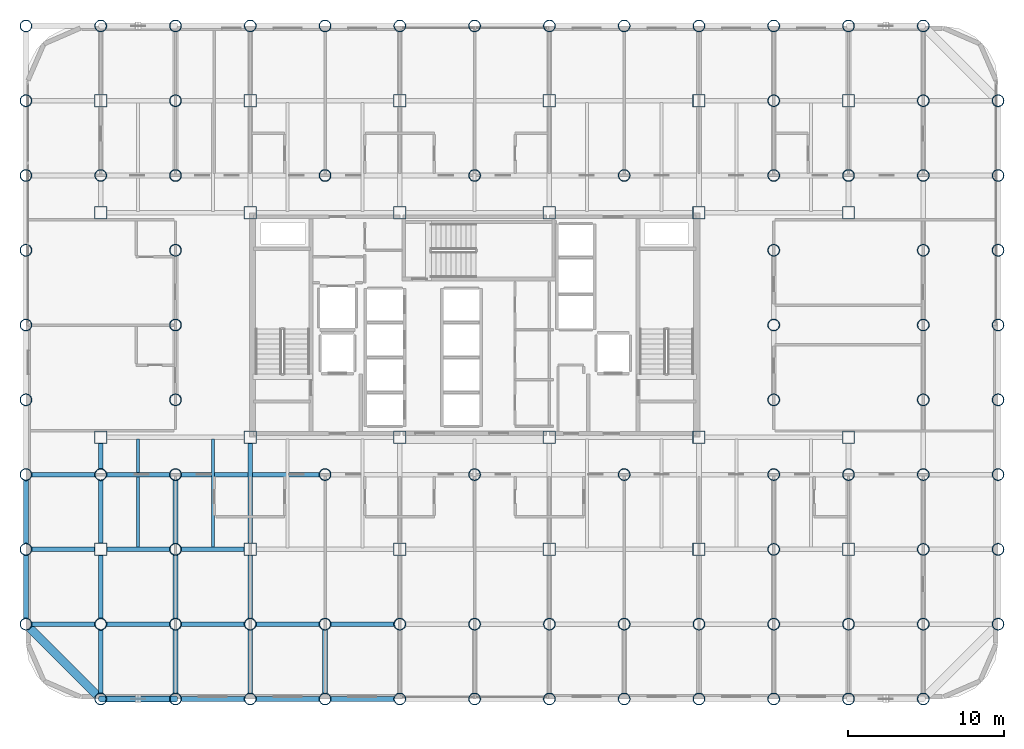
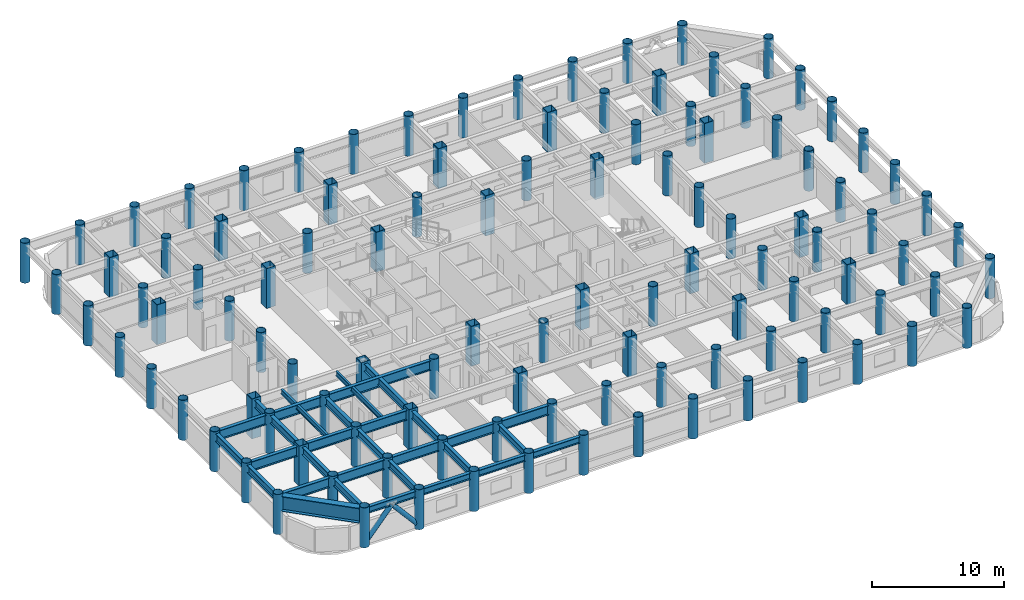
# One storey, part 1 of 21: 108 columns, 31 beams, 2 members.
"""IFC4 building model written with IfcOpenShell, lengths in metres."""

from ifc_helpers import new_model, si_unit, direction, frame, origin, origin_2d, place, context, subcontext, project, spatial, hollow_rectangle, hollow_circle, i_section, extrude, material, material_profile, profile_set, type_object, element, save


model = new_model("IFC4")

# Units and contexts
model_context = context("Model", 3, precision=1e-05, world=origin(), true_north=direction((0.0, 1.0)))
body_context = subcontext(model_context, "Body", "Model", "MODEL_VIEW")
ifc_project = project(units=[si_unit("LENGTHUNIT", "METRE"), si_unit("AREAUNIT", "SQUARE_METRE"), si_unit("VOLUMEUNIT", "CUBIC_METRE"), si_unit("PLANEANGLEUNIT", "RADIAN"), si_unit("MASSUNIT", "GRAM", prefix="KILO")], contexts=[model_context])

# Site, building, storey
site_placement = place(None, origin())
site = spatial("IfcSite", under=ifc_project, at=site_placement, CompositionType="ELEMENT")
building_placement = place(site_placement, origin())
building = spatial("IfcBuilding", under=site, at=building_placement, Name="Kallvorn Hotel Tower", CompositionType="ELEMENT")
storey_placement = place(building_placement, frame((0.0, 0.0, 81.800048828125)))
storey = spatial("IfcBuildingStorey", under=building, at=storey_placement, Name="L19", CompositionType="ELEMENT", Elevation=81.800048828125)

# Columns
ifc_material_1 = material(Name="Structural steel S355J2H", Category="steel")
ifc_material_profile_1 = material_profile(ifc_material_1, hollow_circle(Radius=0.381103515625, WallThickness=0.031982421875, at=origin_2d()), Name="CHS 762x32")
ifc_profile_set_1 = profile_set([ifc_material_profile_1], Name="Structural steel S355J2H")
column_type_1 = type_object("IfcColumnType", Name="COL_CHS_762", PredefinedType="COLUMN", material=ifc_profile_set_1)
for number, where, z_axis, x_axis, name in (
    (1, (-28.800048828125, -19.199951171875, 0.0), (0.0, 0.0, 1.0), (1.0, 0.0, 0.0), "L19 Exoskeleton Column EC01"),
    (2, (-28.800048828125, -14.39990234375, 0.0), (0.0, 0.0, 1.0), (1.0, 0.0, 0.0), "L19 Exoskeleton Column EC02"),
    (3, (-28.800048828125, -9.60009765625, 0.0), (0.0, 0.0, 1.0), (1.0, 0.0, 0.0), "L19 Exoskeleton Column EC03"),
    (4, (-28.800048828125, -4.800048828125, 0.0), (0.0, 0.0, 1.0), (1.0, 0.0, 0.0), "L19 Exoskeleton Column EC04"),
    (5, (-28.800048828125, 0.0, 0.0), (0.0, 0.0, 1.0), (1.0, 0.0, 0.0), "L19 Exoskeleton Column EC05"),
    (6, (-28.800048828125, 4.800048828125, 0.0), (0.0, 0.0, 1.0), (1.0, 0.0, 0.0), "L19 Exoskeleton Column EC06"),
    (7, (-28.800048828125, 9.60009765625, 0.0), (0.0, 0.0, 1.0), (1.0, 0.0, 0.0), "L19 Exoskeleton Column EC07"),
    (8, (-28.800048828125, 14.39990234375, 0.0), (0.0, 0.0, 1.0), (1.0, 0.0, 0.0), "L19 Exoskeleton Column EC08"),
    (9, (-28.800048828125, 19.199951171875, 0.0), (0.0, 0.0, 1.0), (1.0, 0.0, 0.0), "L19 Exoskeleton Column EC09"),
    (10, (-24.0, -24.0, 0.0), (0.0, 0.0, 1.0), (1.0, 0.0, 0.0), "L19 Exoskeleton Column EC10"),
    (11, (-24.0, -19.199951171875, 0.0), (0.0, 0.0, 1.0), (1.0, 0.0, 0.0), "L19 Exoskeleton Column EC11"),
    (12, (-24.0, -9.60009765625, 0.0), (0.0, 0.0, 1.0), (1.0, 0.0, 0.0), "L19 Exoskeleton Column EC12"),
    (13, (-24.0, 9.60009765625, 0.0), (0.0, 0.0, 1.0), (1.0, 0.0, 0.0), "L19 Exoskeleton Column EC13"),
    (14, (-24.0, 19.199951171875, 0.0), (0.0, 0.0, 1.0), (1.0, 0.0, 0.0), "L19 Exoskeleton Column EC14"),
    (15, (-19.199951171875, -24.0, 0.0), (0.0, 0.0, 1.0), (1.0, 0.0, 0.0), "L19 Exoskeleton Column EC15"),
    (16, (-19.199951171875, -19.199951171875, 0.0), (0.0, 0.0, 1.0), (1.0, 0.0, 0.0), "L19 Exoskeleton Column EC16"),
    (17, (-19.199951171875, -14.39990234375, 0.0), (0.0, 0.0, 1.0), (1.0, 0.0, 0.0), "L19 Exoskeleton Column EC17"),
    (18, (-19.199951171875, -9.60009765625, 0.0), (0.0, 0.0, 1.0), (1.0, 0.0, 0.0), "L19 Exoskeleton Column EC18"),
    (19, (-19.199951171875, -4.800048828125, 0.0), (0.0, 0.0, 1.0), (1.0, 0.0, 0.0), "L19 Exoskeleton Column EC19"),
    (20, (-19.199951171875, 0.0, 0.0), (0.0, 0.0, 1.0), (1.0, 0.0, 0.0), "L19 Exoskeleton Column EC20"),
    (21, (-19.199951171875, 4.800048828125, 0.0), (0.0, 0.0, 1.0), (1.0, 0.0, 0.0), "L19 Exoskeleton Column EC21"),
    (22, (-19.199951171875, 9.60009765625, 0.0), (0.0, 0.0, 1.0), (1.0, 0.0, 0.0), "L19 Exoskeleton Column EC22"),
    (23, (-19.199951171875, 14.39990234375, 0.0), (0.0, 0.0, 1.0), (1.0, 0.0, 0.0), "L19 Exoskeleton Column EC23"),
    (24, (-19.199951171875, 19.199951171875, 0.0), (0.0, 0.0, 1.0), (1.0, 0.0, 0.0), "L19 Exoskeleton Column EC24"),
    (25, (-14.39990234375, -24.0, 0.0), (0.0, 0.0, 1.0), (1.0, 0.0, 0.0), "L19 Exoskeleton Column EC25"),
    (26, (-14.39990234375, -19.199951171875, 0.0), (0.0, 0.0, 1.0), (1.0, 0.0, 0.0), "L19 Exoskeleton Column EC26"),
    (27, (-14.39990234375, 19.199951171875, 0.0), (0.0, 0.0, 1.0), (1.0, 0.0, 0.0), "L19 Exoskeleton Column EC27"),
    (28, (-9.60009765625, -24.0, 0.0), (0.0, 0.0, 1.0), (1.0, 0.0, 0.0), "L19 Exoskeleton Column EC28"),
    (29, (-9.60009765625, -19.199951171875, 0.0), (0.0, 0.0, 1.0), (1.0, 0.0, 0.0), "L19 Exoskeleton Column EC29"),
    (30, (-9.60009765625, -9.60009765625, 0.0), (0.0, 0.0, 1.0), (1.0, 0.0, 0.0), "L19 Exoskeleton Column EC30"),
    (31, (-9.60009765625, 9.60009765625, 0.0), (0.0, 0.0, 1.0), (1.0, 0.0, 0.0), "L19 Exoskeleton Column EC31"),
    (32, (-9.60009765625, 19.199951171875, 0.0), (0.0, 0.0, 1.0), (1.0, 0.0, 0.0), "L19 Exoskeleton Column EC32"),
    (33, (-4.800048828125, -24.0, 0.0), (0.0, 0.0, 1.0), (1.0, 0.0, 0.0), "L19 Exoskeleton Column EC33"),
    (34, (-4.800048828125, -19.199951171875, 0.0), (0.0, 0.0, 1.0), (1.0, 0.0, 0.0), "L19 Exoskeleton Column EC34"),
    (35, (-4.800048828125, 19.199951171875, 0.0), (0.0, 0.0, 1.0), (1.0, 0.0, 0.0), "L19 Exoskeleton Column EC35"),
    (36, (0.0, -24.0, 0.0), (0.0, 0.0, 1.0), (1.0, 0.0, 0.0), "L19 Exoskeleton Column EC36"),
    (37, (0.0, -19.199951171875, 0.0), (0.0, 0.0, 1.0), (1.0, 0.0, 0.0), "L19 Exoskeleton Column EC37"),
    (38, (0.0, -9.60009765625, 0.0), (0.0, 0.0, 1.0), (1.0, 0.0, 0.0), "L19 Exoskeleton Column EC38"),
    (39, (0.0, 9.60009765625, 0.0), (0.0, 0.0, 1.0), (1.0, 0.0, 0.0), "L19 Exoskeleton Column EC39"),
    (40, (0.0, 19.199951171875, 0.0), (0.0, 0.0, 1.0), (1.0, 0.0, 0.0), "L19 Exoskeleton Column EC40"),
    (41, (4.800048828125, -24.0, 0.0), (0.0, 0.0, 1.0), (1.0, 0.0, 0.0), "L19 Exoskeleton Column EC41"),
    (42, (4.800048828125, -19.199951171875, 0.0), (0.0, 0.0, 1.0), (1.0, 0.0, 0.0), "L19 Exoskeleton Column EC42"),
    (43, (4.800048828125, 19.199951171875, 0.0), (0.0, 0.0, 1.0), (1.0, 0.0, 0.0), "L19 Exoskeleton Column EC43"),
    (44, (9.60009765625, -24.0, 0.0), (0.0, 0.0, 1.0), (1.0, 0.0, 0.0), "L19 Exoskeleton Column EC44"),
    (45, (9.60009765625, -19.199951171875, 0.0), (0.0, 0.0, 1.0), (1.0, 0.0, 0.0), "L19 Exoskeleton Column EC45"),
    (46, (9.60009765625, -9.60009765625, 0.0), (0.0, 0.0, 1.0), (1.0, 0.0, 0.0), "L19 Exoskeleton Column EC46"),
    (47, (9.60009765625, 9.60009765625, 0.0), (0.0, 0.0, 1.0), (1.0, 0.0, 0.0), "L19 Exoskeleton Column EC47"),
    (48, (9.60009765625, 19.199951171875, 0.0), (0.0, 0.0, 1.0), (1.0, 0.0, 0.0), "L19 Exoskeleton Column EC48"),
    (49, (14.39990234375, -24.0, 0.0), (0.0, 0.0, 1.0), (1.0, 0.0, 0.0), "L19 Exoskeleton Column EC49"),
    (50, (14.39990234375, -19.199951171875, 0.0), (0.0, 0.0, 1.0), (1.0, 0.0, 0.0), "L19 Exoskeleton Column EC50"),
    (51, (14.39990234375, 19.199951171875, 0.0), (0.0, 0.0, 1.0), (1.0, 0.0, 0.0), "L19 Exoskeleton Column EC51"),
    (52, (19.199951171875, -24.0, 0.0), (0.0, 0.0, 1.0), (1.0, 0.0, 0.0), "L19 Exoskeleton Column EC52"),
    (53, (19.199951171875, -19.199951171875, 0.0), (0.0, 0.0, 1.0), (1.0, 0.0, 0.0), "L19 Exoskeleton Column EC53"),
    (54, (19.199951171875, -14.39990234375, 0.0), (0.0, 0.0, 1.0), (1.0, 0.0, 0.0), "L19 Exoskeleton Column EC54"),
    (55, (19.199951171875, -9.60009765625, 0.0), (0.0, 0.0, 1.0), (1.0, 0.0, 0.0), "L19 Exoskeleton Column EC55"),
    (56, (19.199951171875, -4.800048828125, 0.0), (0.0, 0.0, 1.0), (1.0, 0.0, 0.0), "L19 Exoskeleton Column EC56"),
    (57, (19.199951171875, 0.0, 0.0), (0.0, 0.0, 1.0), (1.0, 0.0, 0.0), "L19 Exoskeleton Column EC57"),
    (58, (19.199951171875, 4.800048828125, 0.0), (0.0, 0.0, 1.0), (1.0, 0.0, 0.0), "L19 Exoskeleton Column EC58"),
    (59, (19.199951171875, 9.60009765625, 0.0), (0.0, 0.0, 1.0), (1.0, 0.0, 0.0), "L19 Exoskeleton Column EC59"),
    (60, (19.199951171875, 14.39990234375, 0.0), (0.0, 0.0, 1.0), (1.0, 0.0, 0.0), "L19 Exoskeleton Column EC60"),
    (61, (19.199951171875, 19.199951171875, 0.0), (0.0, 0.0, 1.0), (1.0, 0.0, 0.0), "L19 Exoskeleton Column EC61"),
    (62, (24.0, -24.0, 0.0), (0.0, 0.0, 1.0), (1.0, 0.0, 0.0), "L19 Exoskeleton Column EC62"),
    (63, (24.0, -19.199951171875, 0.0), (0.0, 0.0, 1.0), (1.0, 0.0, 0.0), "L19 Exoskeleton Column EC63"),
    (64, (24.0, -9.60009765625, 0.0), (0.0, 0.0, 1.0), (1.0, 0.0, 0.0), "L19 Exoskeleton Column EC64"),
    (65, (24.0, 9.60009765625, 0.0), (0.0, 0.0, 1.0), (1.0, 0.0, 0.0), "L19 Exoskeleton Column EC65"),
    (66, (24.0, 19.199951171875, 0.0), (0.0, 0.0, 1.0), (1.0, 0.0, 0.0), "L19 Exoskeleton Column EC66"),
    (67, (28.800048828125, -24.0, 0.0), (0.0, 0.0, 1.0), (1.0, 0.0, 0.0), "L19 Exoskeleton Column EC67"),
    (68, (28.800048828125, -19.199951171875, 0.0), (0.0, 0.0, 1.0), (1.0, 0.0, 0.0), "L19 Exoskeleton Column EC68"),
    (69, (28.800048828125, -14.39990234375, 0.0), (0.0, 0.0, 1.0), (1.0, 0.0, 0.0), "L19 Exoskeleton Column EC69"),
    (70, (28.800048828125, -9.60009765625, 0.0), (0.0, 0.0, 1.0), (1.0, 0.0, 0.0), "L19 Exoskeleton Column EC70"),
    (71, (28.800048828125, -4.800048828125, 0.0), (0.0, 0.0, 1.0), (1.0, 0.0, 0.0), "L19 Exoskeleton Column EC71"),
    (72, (28.800048828125, 0.0, 0.0), (0.0, 0.0, 1.0), (1.0, 0.0, 0.0), "L19 Exoskeleton Column EC72"),
    (73, (28.800048828125, 4.800048828125, 0.0), (0.0, 0.0, 1.0), (1.0, 0.0, 0.0), "L19 Exoskeleton Column EC73"),
    (74, (28.800048828125, 9.60009765625, 0.0), (0.0, 0.0, 1.0), (1.0, 0.0, 0.0), "L19 Exoskeleton Column EC74"),
    (75, (28.800048828125, 14.39990234375, 0.0), (0.0, 0.0, 1.0), (1.0, 0.0, 0.0), "L19 Exoskeleton Column EC75"),
    (76, (28.800048828125, 19.199951171875, 0.0), (0.0, 0.0, 1.0), (1.0, 0.0, 0.0), "L19 Exoskeleton Column EC76"),
    (77, (33.60009765625, -19.199951171875, 0.0), (0.0, 0.0, 1.0), (1.0, 0.0, 0.0), "L19 Exoskeleton Column EC77"),
    (78, (33.60009765625, -14.39990234375, 0.0), (0.0, 0.0, 1.0), (1.0, 0.0, 0.0), "L19 Exoskeleton Column EC78"),
    (79, (33.60009765625, -9.60009765625, 0.0), (0.0, 0.0, 1.0), (1.0, 0.0, 0.0), "L19 Exoskeleton Column EC79"),
    (80, (33.60009765625, -4.800048828125, 0.0), (0.0, 0.0, 1.0), (1.0, 0.0, 0.0), "L19 Exoskeleton Column EC80"),
    (81, (33.60009765625, 0.0, 0.0), (0.0, 0.0, 1.0), (1.0, 0.0, 0.0), "L19 Exoskeleton Column EC81"),
    (82, (33.60009765625, 4.800048828125, 0.0), (0.0, 0.0, 1.0), (1.0, 0.0, 0.0), "L19 Exoskeleton Column EC82"),
    (83, (33.60009765625, 9.60009765625, 0.0), (0.0, 0.0, 1.0), (1.0, 0.0, 0.0), "L19 Exoskeleton Column EC83"),
    (84, (33.60009765625, 14.39990234375, 0.0), (0.0, 0.0, 1.0), (1.0, 0.0, 0.0), "L19 Exoskeleton Column EC84"),
):
    element("IfcColumn", number, at=place(storey_placement, frame(where, z_axis=z_axis, x_axis=x_axis)), inside=storey, type_object=column_type_1, Name=name, PredefinedType="COLUMN", context=body_context, shape_type="SweptSolid", body=[
        extrude(hollow_circle(Radius=0.381103515625, WallThickness=0.031982421875, at=origin_2d()), origin(), (0.0, 0.0, 1.0), 3.699951171875),
    ])
ifc_material_2 = material(Name="Structural steel S355J2H", Category="steel")
ifc_material_profile_2 = material_profile(ifc_material_2, hollow_rectangle(XDim=0.800048828125, YDim=0.800048828125, WallThickness=0.035888671875, at=origin_2d()), Name="RHS 800x800x36")
ifc_profile_set_2 = profile_set([ifc_material_profile_2], Name="Structural steel S355J2H")
column_type_2 = type_object("IfcColumnType", Name="COL_RHS_800", PredefinedType="COLUMN", material=ifc_profile_set_2)
for number, where, z_axis, x_axis, name in (
    (85, (-24.0, -14.39990234375, 0.0), (0.0, 0.0, 1.0), (1.0, 0.0, 0.0), "L19 Inner Column IC01"),
    (86, (-24.0, -7.199951171875, 0.0), (0.0, 0.0, 1.0), (1.0, 0.0, 0.0), "L19 Inner Column IC02"),
    (87, (-24.0, 7.199951171875, 0.0), (0.0, 0.0, 1.0), (1.0, 0.0, 0.0), "L19 Inner Column IC03"),
    (88, (-24.0, 14.39990234375, 0.0), (0.0, 0.0, 1.0), (1.0, 0.0, 0.0), "L19 Inner Column IC04"),
    (89, (-14.39990234375, -14.39990234375, 0.0), (0.0, 0.0, 1.0), (1.0, 0.0, 0.0), "L19 Inner Column IC05"),
    (90, (-14.39990234375, -7.199951171875, 0.0), (0.0, 0.0, 1.0), (1.0, 0.0, 0.0), "L19 Inner Column IC06"),
    (91, (-14.39990234375, 7.199951171875, 0.0), (0.0, 0.0, 1.0), (1.0, 0.0, 0.0), "L19 Inner Column IC07"),
    (92, (-14.39990234375, 14.39990234375, 0.0), (0.0, 0.0, 1.0), (1.0, 0.0, 0.0), "L19 Inner Column IC08"),
    (93, (-4.800048828125, -14.39990234375, 0.0), (0.0, 0.0, 1.0), (1.0, 0.0, 0.0), "L19 Inner Column IC09"),
    (94, (-4.800048828125, -7.199951171875, 0.0), (0.0, 0.0, 1.0), (1.0, 0.0, 0.0), "L19 Inner Column IC10"),
    (95, (-4.800048828125, 7.199951171875, 0.0), (0.0, 0.0, 1.0), (1.0, 0.0, 0.0), "L19 Inner Column IC11"),
    (96, (-4.800048828125, 14.39990234375, 0.0), (0.0, 0.0, 1.0), (1.0, 0.0, 0.0), "L19 Inner Column IC12"),
    (97, (4.800048828125, -14.39990234375, 0.0), (0.0, 0.0, 1.0), (1.0, 0.0, 0.0), "L19 Inner Column IC13"),
    (98, (4.800048828125, -7.199951171875, 0.0), (0.0, 0.0, 1.0), (1.0, 0.0, 0.0), "L19 Inner Column IC14"),
    (99, (4.800048828125, 7.199951171875, 0.0), (0.0, 0.0, 1.0), (1.0, 0.0, 0.0), "L19 Inner Column IC15"),
    (100, (4.800048828125, 14.39990234375, 0.0), (0.0, 0.0, 1.0), (1.0, 0.0, 0.0), "L19 Inner Column IC16"),
    (101, (14.39990234375, -14.39990234375, 0.0), (0.0, 0.0, 1.0), (1.0, 0.0, 0.0), "L19 Inner Column IC17"),
    (102, (14.39990234375, -7.199951171875, 0.0), (0.0, 0.0, 1.0), (1.0, 0.0, 0.0), "L19 Inner Column IC18"),
    (103, (14.39990234375, 7.199951171875, 0.0), (0.0, 0.0, 1.0), (1.0, 0.0, 0.0), "L19 Inner Column IC19"),
    (104, (14.39990234375, 14.39990234375, 0.0), (0.0, 0.0, 1.0), (1.0, 0.0, 0.0), "L19 Inner Column IC20"),
    (105, (24.0, -14.39990234375, 0.0), (0.0, 0.0, 1.0), (1.0, 0.0, 0.0), "L19 Inner Column IC21"),
    (106, (24.0, -7.199951171875, 0.0), (0.0, 0.0, 1.0), (1.0, 0.0, 0.0), "L19 Inner Column IC22"),
    (107, (24.0, 7.199951171875, 0.0), (0.0, 0.0, 1.0), (1.0, 0.0, 0.0), "L19 Inner Column IC23"),
    (108, (24.0, 14.39990234375, 0.0), (0.0, 0.0, 1.0), (1.0, 0.0, 0.0), "L19 Inner Column IC24"),
):
    element("IfcColumn", number, at=place(storey_placement, frame(where, z_axis=z_axis, x_axis=x_axis)), inside=storey, type_object=column_type_2, Name=name, PredefinedType="COLUMN", context=body_context, shape_type="SweptSolid", body=[
        extrude(hollow_rectangle(XDim=0.800048828125, YDim=0.800048828125, WallThickness=0.035888671875, at=origin_2d()), origin(), (0.0, 0.0, 1.0), 3.699951171875),
    ])

# Beams
ifc_material_3 = material(Name="Structural steel S355JR", Category="steel")
ifc_material_profile_3 = material_profile(ifc_material_3, i_section(OverallWidth=0.300048828125, OverallDepth=0.60009765625, WebThickness=0.015380859375, FlangeThickness=0.030029296875, at=origin_2d()), Name="HE 600 B")
ifc_profile_set_3 = profile_set([ifc_material_profile_3], Name="Structural steel S355JR")
beam_type_1 = type_object("IfcBeamType", Name="BM_HE600B", PredefinedType="SPANDREL", material=ifc_profile_set_3)
beam_1_placement = place(storey_placement, frame((-23.62890625, -24.0, 3.219970703125), z_axis=(1.0, 0.0, 0.0), x_axis=(0.0, 1.0, 0.0)))
element("IfcBeam", 109, at=beam_1_placement, inside=storey, type_object=beam_type_1, Name="L20 Perimeter Spandrel 151", PredefinedType="SPANDREL", context=body_context, shape_type="SweptSolid", body=[
    extrude(i_section(OverallWidth=0.300048828125, OverallDepth=0.60009765625, WebThickness=0.015380859375, FlangeThickness=0.030029296875, at=origin_2d()), origin(), (0.0, 0.0, 1.0), 4.057861328125),
])
for number, where, z_axis, x_axis, name in (
    (110, (-18.8291015625, -24.0, 3.219970703125), (1.0, 0.0, 0.0), (0.0, 1.0, 0.0), "L20 Perimeter Spandrel 152"),
    (111, (-14.029052734375, -24.0, 3.219970703125), (1.0, 0.0, 0.0), (0.0, 1.0, 0.0), "L20 Perimeter Spandrel 153"),
    (112, (-9.22900390625, -24.0, 3.219970703125), (1.0, 0.0, 0.0), (0.0, 1.0, 0.0), "L20 Perimeter Spandrel 154"),
):
    element("IfcBeam", number, at=place(storey_placement, frame(where, z_axis=z_axis, x_axis=x_axis)), inside=storey, type_object=beam_type_1, Name=name, PredefinedType="SPANDREL", context=body_context, shape_type="SweptSolid", body=[
        extrude(i_section(OverallWidth=0.300048828125, OverallDepth=0.60009765625, WebThickness=0.015380859375, FlangeThickness=0.030029296875, at=origin_2d()), origin(), (0.0, 0.0, 1.0), 4.05810546875),
    ])
ifc_material_4 = material(Name="Structural steel S355JR", Category="steel")
ifc_material_profile_4 = material_profile(ifc_material_4, i_section(OverallWidth=0.300048828125, OverallDepth=0.699951171875, WebThickness=0.01708984375, FlangeThickness=0.031982421875, at=origin_2d()), Name="HE 700 B")
ifc_profile_set_4 = profile_set([ifc_material_profile_4], Name="Structural steel S355JR")
beam_type_2 = type_object("IfcBeamType", Name="BM_HE700B", PredefinedType="BEAM", material=ifc_profile_set_4)
for number, where, z_axis, x_axis, name in (
    (113, (-28.800048828125, -18.843994140625, 3.169921875), (0.0, 1.0, 0.0), (-1.0, 0.0, 0.0), "L20 Primary Y-Girder 73"),
    (114, (-28.800048828125, -14.0439453125, 3.169921875), (0.0, 1.0, 0.0), (-1.0, 0.0, 0.0), "L20 Primary Y-Girder 74"),
):
    element("IfcBeam", number, at=place(storey_placement, frame(where, z_axis=z_axis, x_axis=x_axis)), inside=storey, type_object=beam_type_2, Name=name, PredefinedType="BEAM", context=body_context, shape_type="SweptSolid", body=[
        extrude(i_section(OverallWidth=0.300048828125, OverallDepth=0.699951171875, WebThickness=0.01708984375, FlangeThickness=0.031982421875, at=origin_2d()), origin(), (0.0, 0.0, 1.0), 4.087890625),
    ])
beam_2_placement = place(storey_placement, frame((-24.0, -23.64404296875, 3.169921875), z_axis=(0.0, 1.0, 0.0), x_axis=(-1.0, 0.0, 0.0)))
element("IfcBeam", 115, at=beam_2_placement, inside=storey, type_object=beam_type_2, Name="L20 Primary Y-Girder 81", PredefinedType="BEAM", context=body_context, shape_type="SweptSolid", body=[
    extrude(i_section(OverallWidth=0.300048828125, OverallDepth=0.699951171875, WebThickness=0.01708984375, FlangeThickness=0.031982421875, at=origin_2d()), origin(), (0.0, 0.0, 1.0), 4.088134765625),
])
beam_3_placement = place(storey_placement, frame((-24.0, -18.843994140625, 3.169921875), z_axis=(0.0, 1.0, 0.0), x_axis=(-1.0, 0.0, 0.0)))
element("IfcBeam", 116, at=beam_3_placement, inside=storey, type_object=beam_type_2, Name="L20 Primary Y-Girder 82", PredefinedType="BEAM", context=body_context, shape_type="SweptSolid", body=[
    extrude(i_section(OverallWidth=0.300048828125, OverallDepth=0.699951171875, WebThickness=0.01708984375, FlangeThickness=0.031982421875, at=origin_2d()), origin(), (0.0, 0.0, 1.0), 4.069091796875),
])
beam_4_placement = place(storey_placement, frame((-24.0, -14.02490234375, 3.169921875), z_axis=(0.0, 1.0, 0.0), x_axis=(-1.0, 0.0, 0.0)))
element("IfcBeam", 117, at=beam_4_placement, inside=storey, type_object=beam_type_2, Name="L20 Primary Y-Girder 83", PredefinedType="BEAM", context=body_context, shape_type="SweptSolid", body=[
    extrude(i_section(OverallWidth=0.300048828125, OverallDepth=0.699951171875, WebThickness=0.01708984375, FlangeThickness=0.031982421875, at=origin_2d()), origin(), (0.0, 0.0, 1.0), 4.06884765625),
])
beam_5_placement = place(storey_placement, frame((-24.0, -9.243896484375, 3.169921875), z_axis=(0.0, 1.0, 0.0), x_axis=(-1.0, 0.0, 0.0)))
element("IfcBeam", 118, at=beam_5_placement, inside=storey, type_object=beam_type_2, Name="L20 Primary Y-Girder 84", PredefinedType="BEAM", context=body_context, shape_type="SweptSolid", body=[
    extrude(i_section(OverallWidth=0.300048828125, OverallDepth=0.699951171875, WebThickness=0.01708984375, FlangeThickness=0.031982421875, at=origin_2d()), origin(), (0.0, 0.0, 1.0), 1.6689453125),
])
beam_6_placement = place(storey_placement, frame((-19.199951171875, -23.64404296875, 3.169921875), z_axis=(0.0, 1.0, 0.0), x_axis=(-1.0, 0.0, 0.0)))
element("IfcBeam", 119, at=beam_6_placement, inside=storey, type_object=beam_type_2, Name="L20 Primary Y-Girder 88", PredefinedType="BEAM", context=body_context, shape_type="SweptSolid", body=[
    extrude(i_section(OverallWidth=0.300048828125, OverallDepth=0.699951171875, WebThickness=0.01708984375, FlangeThickness=0.031982421875, at=origin_2d()), origin(), (0.0, 0.0, 1.0), 4.088134765625),
])
for number, where, z_axis, x_axis, name in (
    (120, (-19.199951171875, -18.843994140625, 3.169921875), (0.0, 1.0, 0.0), (-1.0, 0.0, 0.0), "L20 Primary Y-Girder 89"),
    (121, (-19.199951171875, -14.0439453125, 3.169921875), (0.0, 1.0, 0.0), (-1.0, 0.0, 0.0), "L20 Primary Y-Girder 90"),
):
    element("IfcBeam", number, at=place(storey_placement, frame(where, z_axis=z_axis, x_axis=x_axis)), inside=storey, type_object=beam_type_2, Name=name, PredefinedType="BEAM", context=body_context, shape_type="SweptSolid", body=[
        extrude(i_section(OverallWidth=0.300048828125, OverallDepth=0.699951171875, WebThickness=0.01708984375, FlangeThickness=0.031982421875, at=origin_2d()), origin(), (0.0, 0.0, 1.0), 4.087890625),
    ])
beam_7_placement = place(storey_placement, frame((-14.39990234375, -23.64404296875, 3.169921875), z_axis=(0.0, 1.0, 0.0), x_axis=(-1.0, 0.0, 0.0)))
element("IfcBeam", 122, at=beam_7_placement, inside=storey, type_object=beam_type_2, Name="L20 Primary Y-Girder 97", PredefinedType="BEAM", context=body_context, shape_type="SweptSolid", body=[
    extrude(i_section(OverallWidth=0.300048828125, OverallDepth=0.699951171875, WebThickness=0.01708984375, FlangeThickness=0.031982421875, at=origin_2d()), origin(), (0.0, 0.0, 1.0), 4.088134765625),
])
beam_8_placement = place(storey_placement, frame((-14.39990234375, -18.843994140625, 3.169921875), z_axis=(0.0, 1.0, 0.0), x_axis=(-1.0, 0.0, 0.0)))
element("IfcBeam", 123, at=beam_8_placement, inside=storey, type_object=beam_type_2, Name="L20 Primary Y-Girder 98", PredefinedType="BEAM", context=body_context, shape_type="SweptSolid", body=[
    extrude(i_section(OverallWidth=0.300048828125, OverallDepth=0.699951171875, WebThickness=0.01708984375, FlangeThickness=0.031982421875, at=origin_2d()), origin(), (0.0, 0.0, 1.0), 4.069091796875),
])
beam_9_placement = place(storey_placement, frame((-14.39990234375, -14.02490234375, 3.169921875), z_axis=(0.0, 1.0, 0.0), x_axis=(-1.0, 0.0, 0.0)))
element("IfcBeam", 124, at=beam_9_placement, inside=storey, type_object=beam_type_2, Name="L20 Primary Y-Girder 99", PredefinedType="BEAM", context=body_context, shape_type="SweptSolid", body=[
    extrude(i_section(OverallWidth=0.300048828125, OverallDepth=0.699951171875, WebThickness=0.01708984375, FlangeThickness=0.031982421875, at=origin_2d()), origin(), (0.0, 0.0, 1.0), 6.449951171875),
])
beam_10_placement = place(storey_placement, frame((-9.60009765625, -23.64404296875, 3.169921875), z_axis=(0.0, 1.0, 0.0), x_axis=(-1.0, 0.0, 0.0)))
element("IfcBeam", 125, at=beam_10_placement, inside=storey, type_object=beam_type_2, Name="L20 Primary Y-Girder 102", PredefinedType="BEAM", context=body_context, shape_type="SweptSolid", body=[
    extrude(i_section(OverallWidth=0.300048828125, OverallDepth=0.699951171875, WebThickness=0.01708984375, FlangeThickness=0.031982421875, at=origin_2d()), origin(), (0.0, 0.0, 1.0), 4.088134765625),
])
ifc_material_5 = material(Name="Structural steel S355JR", Category="steel")
ifc_material_profile_5 = material_profile(ifc_material_5, i_section(OverallWidth=0.300048828125, OverallDepth=0.89990234375, WebThickness=0.0185546875, FlangeThickness=0.034912109375, at=origin_2d()), Name="HE 900 B")
ifc_profile_set_5 = profile_set([ifc_material_profile_5], Name="Structural steel S355JR")
beam_type_3 = type_object("IfcBeamType", Name="BM_HE900B", PredefinedType="BEAM", material=ifc_profile_set_5)
for number, where, z_axis, x_axis, name in (
    (126, (-28.444091796875, -19.199951171875, 3.070068359375), (1.0, 0.0, 0.0), (0.0, 1.0, 0.0), "L20 Primary X-Girder 01"),
    (127, (-23.64404296875, -19.199951171875, 3.070068359375), (1.0, 0.0, 0.0), (0.0, 1.0, 0.0), "L20 Primary X-Girder 02"),
):
    element("IfcBeam", number, at=place(storey_placement, frame(where, z_axis=z_axis, x_axis=x_axis)), inside=storey, type_object=beam_type_3, Name=name, PredefinedType="BEAM", context=body_context, shape_type="SweptSolid", body=[
        extrude(i_section(OverallWidth=0.300048828125, OverallDepth=0.89990234375, WebThickness=0.0185546875, FlangeThickness=0.034912109375, at=origin_2d()), origin(), (0.0, 0.0, 1.0), 4.088134765625),
    ])
for number, where, z_axis, x_axis, name in (
    (128, (-18.843994140625, -19.199951171875, 3.070068359375), (1.0, 0.0, 0.0), (0.0, 1.0, 0.0), "L20 Primary X-Girder 03"),
    (129, (-14.0439453125, -19.199951171875, 3.070068359375), (1.0, 0.0, 0.0), (0.0, 1.0, 0.0), "L20 Primary X-Girder 04"),
    (130, (-9.243896484375, -19.199951171875, 3.070068359375), (1.0, 0.0, 0.0), (0.0, 1.0, 0.0), "L20 Primary X-Girder 05"),
):
    element("IfcBeam", number, at=place(storey_placement, frame(where, z_axis=z_axis, x_axis=x_axis)), inside=storey, type_object=beam_type_3, Name=name, PredefinedType="BEAM", context=body_context, shape_type="SweptSolid", body=[
        extrude(i_section(OverallWidth=0.300048828125, OverallDepth=0.89990234375, WebThickness=0.0185546875, FlangeThickness=0.034912109375, at=origin_2d()), origin(), (0.0, 0.0, 1.0), 4.087890625),
    ])
for number, where, z_axis, x_axis, name in (
    (131, (-28.444091796875, -14.39990234375, 3.070068359375), (1.0, 0.0, 0.0), (0.0, 1.0, 0.0), "L20 Primary X-Girder 14"),
    (132, (-23.625, -14.39990234375, 3.070068359375), (1.0, 0.0, 0.0), (0.0, 1.0, 0.0), "L20 Primary X-Girder 15"),
    (133, (-18.843994140625, -14.39990234375, 3.070068359375), (1.0, 0.0, 0.0), (0.0, 1.0, 0.0), "L20 Primary X-Girder 16"),
):
    element("IfcBeam", number, at=place(storey_placement, frame(where, z_axis=z_axis, x_axis=x_axis)), inside=storey, type_object=beam_type_3, Name=name, PredefinedType="BEAM", context=body_context, shape_type="SweptSolid", body=[
        extrude(i_section(OverallWidth=0.300048828125, OverallDepth=0.89990234375, WebThickness=0.0185546875, FlangeThickness=0.034912109375, at=origin_2d()), origin(), (0.0, 0.0, 1.0), 4.069091796875),
    ])
for number, where, z_axis, x_axis, name in (
    (134, (-28.444091796875, -9.60009765625, 3.070068359375), (1.0, 0.0, 0.0), (0.0, 1.0, 0.0), "L20 Primary X-Girder 24"),
    (135, (-23.64404296875, -9.60009765625, 3.070068359375), (1.0, 0.0, 0.0), (0.0, 1.0, 0.0), "L20 Primary X-Girder 25"),
):
    element("IfcBeam", number, at=place(storey_placement, frame(where, z_axis=z_axis, x_axis=x_axis)), inside=storey, type_object=beam_type_3, Name=name, PredefinedType="BEAM", context=body_context, shape_type="SweptSolid", body=[
        extrude(i_section(OverallWidth=0.300048828125, OverallDepth=0.89990234375, WebThickness=0.0185546875, FlangeThickness=0.034912109375, at=origin_2d()), origin(), (0.0, 0.0, 1.0), 4.088134765625),
    ])
beam_11_placement = place(storey_placement, frame((-18.843994140625, -9.60009765625, 3.070068359375), z_axis=(1.0, 0.0, 0.0), x_axis=(0.0, 1.0, 0.0)))
element("IfcBeam", 136, at=beam_11_placement, inside=storey, type_object=beam_type_3, Name="L20 Primary X-Girder 26", PredefinedType="BEAM", context=body_context, shape_type="SweptSolid", body=[
    extrude(i_section(OverallWidth=0.300048828125, OverallDepth=0.89990234375, WebThickness=0.0185546875, FlangeThickness=0.034912109375, at=origin_2d()), origin(), (0.0, 0.0, 1.0), 8.887939453125),
])
ifc_material_6 = material(Name="Structural steel S355JR", Category="steel")
ifc_material_profile_6 = material_profile(ifc_material_6, i_section(OverallWidth=0.18994140625, OverallDepth=0.449951171875, WebThickness=0.009521484375, FlangeThickness=0.0146484375, at=origin_2d()), Name="IPE 450")
ifc_profile_set_6 = profile_set([ifc_material_profile_6], Name="Structural steel S355JR")
beam_type_4 = type_object("IfcBeamType", Name="BM_IPE450", PredefinedType="JOIST", material=ifc_profile_set_6)
for number, where, z_axis, x_axis, name in (
    (137, (-21.60009765625, -14.300048828125, 3.294921875), (0.0, 1.0, 0.0), (-1.0, 0.0, 0.0), "L20 Secondary Composite Joist 192"),
    (138, (-16.800048828125, -14.300048828125, 3.294921875), (0.0, 1.0, 0.0), (-1.0, 0.0, 0.0), "L20 Secondary Composite Joist 194"),
):
    element("IfcBeam", number, at=place(storey_placement, frame(where, z_axis=z_axis, x_axis=x_axis)), inside=storey, type_object=beam_type_4, Name=name, PredefinedType="JOIST", context=body_context, shape_type="SweptSolid", body=[
        extrude(i_section(OverallWidth=0.18994140625, OverallDepth=0.449951171875, WebThickness=0.009521484375, FlangeThickness=0.0146484375, at=origin_2d()), origin(), (0.0, 0.0, 1.0), 7.0),
    ])
ifc_material_7 = material(Name="Structural steel S355JR", Category="steel")
ifc_material_profile_7 = material_profile(ifc_material_7, i_section(OverallWidth=0.550048828125, OverallDepth=1.39990234375, WebThickness=0.02490234375, FlangeThickness=0.044921875, at=origin_2d()), Name="PG 1400x550x25x45")
ifc_profile_set_7 = profile_set([ifc_material_profile_7], Name="Structural steel S355JR")
beam_type_5 = type_object("IfcBeamType", Name="BM_PG_1400", PredefinedType="BEAM", material=ifc_profile_set_7)
beam_12_placement = place(storey_placement, frame((-28.53759765625, -19.46240234375, 2.820068359375), z_axis=(0.707106781187, -0.707106781187, 0.0), x_axis=(0.707106781187, 0.707106781187, 0.0)))
element("IfcBeam", 139, at=beam_12_placement, inside=storey, type_object=beam_type_5, Name="L20 Rounded Corner Tie Beam 189", PredefinedType="BEAM", context=body_context, shape_type="SweptSolid", body=[
    extrude(i_section(OverallWidth=0.550048828125, OverallDepth=1.39990234375, WebThickness=0.02490234375, FlangeThickness=0.044921875, at=origin_2d()), origin(), (0.0, 0.0, 1.0), 6.04638671875),
])

# Members
ifc_material_8 = material(Name="Structural steel S355J2H", Category="steel")
ifc_material_profile_8 = material_profile(ifc_material_8, hollow_circle(Radius=0.203125, WallThickness=0.01611328125, at=origin_2d()), Name="CHS 406.4x16")
ifc_profile_set_8 = profile_set([ifc_material_profile_8], Name="Structural steel S355J2H")
member_type = type_object("IfcMemberType", Name="MBR_EXO_CHS406", PredefinedType="BRACE", material=ifc_profile_set_8)
for number, where, z_axis, x_axis, name in (
    (140, (-23.98681640625, -24.0, 0.195068359375), (0.65346062529, 0.0, 0.756960508346), (0.0, 1.0, 0.0), "L19 Exoskeleton K-Brace S1A"),
    (141, (-19.213134765625, -24.0, 0.195068359375), (-0.65346062529, 0.0, 0.756960508346), (0.0, -1.0, 0.0), "L19 Exoskeleton K-Brace S1B"),
):
    element("IfcMember", number, at=place(storey_placement, frame(where, z_axis=z_axis, x_axis=x_axis)), inside=storey, type_object=member_type, Name=name, PredefinedType="BRACE", context=body_context, shape_type="SweptSolid", body=[
        extrude(hollow_circle(Radius=0.203125, WallThickness=0.01611328125, at=origin_2d()), origin(), (0.0, 0.0, 1.0), 3.632568359375),
    ])

save(model, "model.ifc")
